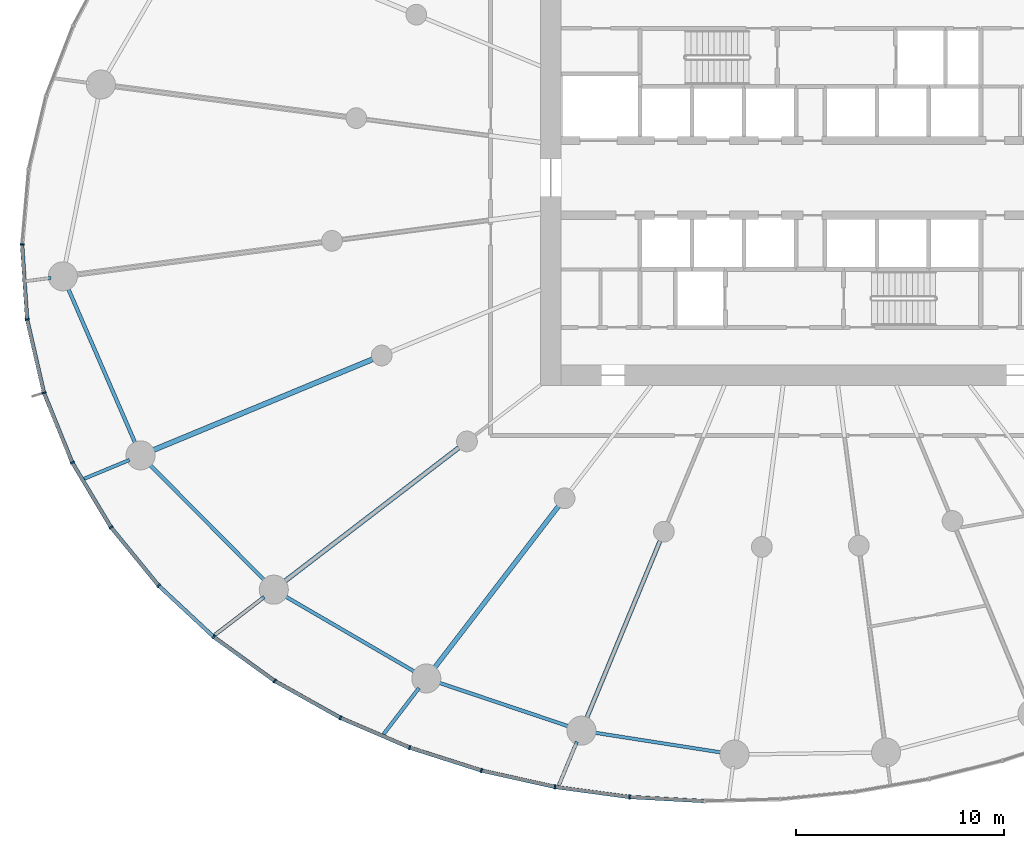
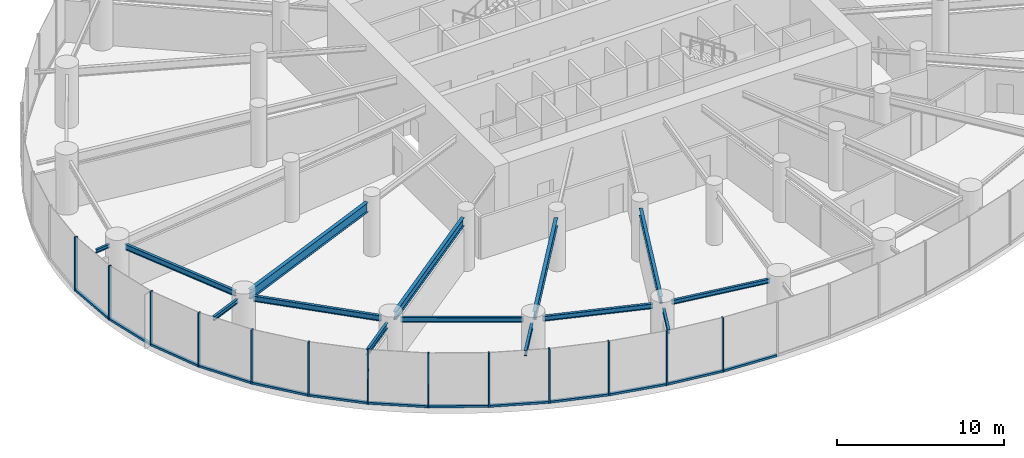
# One storey, part 2 of 18: 26 members, 14 beams, 3 elements without a shape of their own.
"""IFC4 building model written with IfcOpenShell, lengths in metres."""

from ifc_helpers import new_model, si_unit, direction, frame, origin, origin_2d, place, context, subcontext, project, spatial, rectangle, i_section, extrude, source, transform, mapped, material, layer, layer_set, material_profile, profile_set, type_object, element, aggregate, save


model = new_model("IFC4")

# Units and contexts
model_context = context("Model", 3, precision=1e-05, world=origin(), true_north=direction((0.0, 1.0)))
body_context = subcontext(model_context, "Body", "Model", "MODEL_VIEW")
ifc_project = project(units=[si_unit("LENGTHUNIT", "METRE"), si_unit("AREAUNIT", "SQUARE_METRE"), si_unit("VOLUMEUNIT", "CUBIC_METRE"), si_unit("PLANEANGLEUNIT", "RADIAN"), si_unit("MASSUNIT", "GRAM", prefix="KILO")], contexts=[model_context])

# Site, building, storey
site_placement = place(None, origin())
site = spatial("IfcSite", under=ifc_project, at=site_placement, CompositionType="ELEMENT")
building_placement = place(site_placement, origin())
building = spatial("IfcBuilding", under=site, at=building_placement, Name="Spindrift Exchange Tower", CompositionType="ELEMENT")
storey_placement = place(building_placement, frame((0.0, 0.0, 62.199951171875)))
storey = spatial("IfcBuildingStorey", under=building, at=storey_placement, Name="L14", CompositionType="ELEMENT", Elevation=62.199951171875)

# Beams
ifc_material_1 = material(Name="Steel Grade 300", Category="steel")
ifc_material_profile_1 = material_profile(ifc_material_1, i_section(OverallWidth=0.25, OverallDepth=0.699951171875, WebThickness=0.008056640625, FlangeThickness=0.011962890625, at=origin_2d()), Name="700WB115")
ifc_profile_set_1 = profile_set([ifc_material_profile_1], Name="Steel Grade 300")
beam_type_1 = type_object("IfcBeamType", Name="Floor Beam 700WB115 Steel Grade 300", PredefinedType="BEAM", material=ifc_profile_set_1)
shared_shape_1 = source(origin(), body_context, "Body", "SweptSolid", [
    extrude(i_section(OverallWidth=0.25, OverallDepth=0.699951171875, WebThickness=0.008056640625, FlangeThickness=0.011962890625, at=origin_2d()), origin(), (0.0, 0.0, 1.0), 11.505859375),
])
beam_1_placement = place(storey_placement, frame((30.917236328125, 39.26708984375, 3.60009765625), z_axis=(-0.923881578419, -0.38267849307, 0.0), x_axis=(0.38267849307, -0.923881578419, 0.0)))
element("IfcBeam", 1, at=beam_1_placement, inside=storey, type_object=beam_type_1, Name="L14 radial beam R14B", PredefinedType="BEAM", context=body_context, shape_type="MappedRepresentation", body=[
    mapped(shared_shape_1, transform((0.0, 0.0, 0.0), scale=1.0)),
])
ifc_material_profile_2 = material_profile(ifc_material_1, i_section(OverallWidth=0.22802734375, OverallDepth=0.60693359375, WebThickness=0.01123046875, FlangeThickness=0.017333984375, FilletRadius=0.013916015625, at=origin_2d()), Name="610UB113")
ifc_profile_set_2 = profile_set([ifc_material_profile_2], Name="Steel Grade 300")
beam_type_2 = type_object("IfcBeamType", Name="Floor Beam 610UB113 Steel Grade 300", PredefinedType="BEAM", material=ifc_profile_set_2)
shared_shape_2 = source(origin(), body_context, "Body", "SweptSolid", [
    extrude(i_section(OverallWidth=0.22802734375, OverallDepth=0.60693359375, WebThickness=0.01123046875, FlangeThickness=0.017333984375, FilletRadius=0.013916015625, at=origin_2d()), origin(), (0.0, 0.0, 1.0), 10.66357421875),
])
beam_2_placement = place(storey_placement, frame((35.08447265625, 35.020263671875, 3.646484375), z_axis=(-0.793357926757, -0.608755451764, 0.0), x_axis=(0.608755451764, -0.793357926757, 0.0)))
element("IfcBeam", 2, at=beam_2_placement, inside=storey, type_object=beam_type_2, Name="L14 radial beam R15B", PredefinedType="BEAM", context=body_context, shape_type="MappedRepresentation", body=[
    mapped(shared_shape_2, transform((0.0, 0.0, 0.0), scale=1.0)),
])
shared_shape_3 = source(origin(), body_context, "Body", "SweptSolid", [
    extrude(i_section(OverallWidth=0.22802734375, OverallDepth=0.60693359375, WebThickness=0.01123046875, FlangeThickness=0.017333984375, FilletRadius=0.013916015625, at=origin_2d()), origin(), (0.0, 0.0, 1.0), 9.87548828125),
])
beam_3_placement = place(storey_placement, frame((39.872802734375, 32.1953125, 3.646484375), z_axis=(-0.608772470836, -0.793344867477, 0.0), x_axis=(0.793344867477, -0.608772470836, 0.0)))
element("IfcBeam", 3, at=beam_3_placement, inside=storey, type_object=beam_type_2, Name="L14 radial beam R16B", PredefinedType="BEAM", context=body_context, shape_type="MappedRepresentation", body=[
    mapped(shared_shape_3, transform((0.0, 0.0, 0.0), scale=1.0)),
])
ifc_material_profile_3 = material_profile(ifc_material_1, i_section(OverallWidth=0.208984375, OverallDepth=0.532958984375, WebThickness=0.01025390625, FlangeThickness=0.015625, FilletRadius=0.013916015625, at=origin_2d()), Name="530UB92.4")
ifc_profile_set_3 = profile_set([ifc_material_profile_3], Name="Steel Grade 300")
beam_type_3 = type_object("IfcBeamType", Name="Floor Beam 530UB92.4 Steel Grade 300", PredefinedType="BEAM", material=ifc_profile_set_3)
shared_shape_4 = source(origin(), body_context, "Body", "SweptSolid", [
    extrude(i_section(OverallWidth=0.208984375, OverallDepth=0.532958984375, WebThickness=0.01025390625, FlangeThickness=0.015625, FilletRadius=0.013916015625, at=origin_2d()), origin(), (0.0, 0.0, 1.0), 9.309326171875),
])
beam_4_placement = place(storey_placement, frame((44.76171875, 30.525146484375, 3.68359375), z_axis=(-0.382685326691, -0.923878747853, 0.0), x_axis=(0.923878747853, -0.382685326691, 0.0)))
element("IfcBeam", 4, at=beam_4_placement, inside=storey, type_object=beam_type_3, Name="L14 radial beam R17B", PredefinedType="BEAM", context=body_context, shape_type="MappedRepresentation", body=[
    mapped(shared_shape_4, transform((0.0, 0.0, 0.0), scale=1.0)),
])
ifc_material_profile_4 = material_profile(ifc_material_1, i_section(OverallWidth=0.177978515625, OverallDepth=0.406005859375, WebThickness=0.0078125, FlangeThickness=0.0126953125, FilletRadius=0.013916015625, at=origin_2d()), Name="410UB59.7")
ifc_profile_set_4 = profile_set([ifc_material_profile_4], Name="Steel Grade 300")
beam_type_4 = type_object("IfcBeamType", Name="Edge Beam 410UB59.7 Steel Grade 300", PredefinedType="SPANDREL", material=ifc_profile_set_4)
shared_shape_5 = source(origin(), body_context, "Body", "SweptSolid", [
    extrude(i_section(OverallWidth=0.177978515625, OverallDepth=0.406005859375, WebThickness=0.0078125, FlangeThickness=0.0126953125, FilletRadius=0.013916015625, at=origin_2d()), origin(), (0.0, 0.0, 1.0), 8.23681640625),
])
beam_5_placement = place(storey_placement, frame((16.240478515625, 42.729736328125, 3.7470703125), z_axis=(0.398186298756, -0.91730456855, 0.0), x_axis=(0.91730456855, 0.398186298756, 0.0)))
element("IfcBeam", 5, at=beam_5_placement, inside=storey, type_object=beam_type_4, Name="L14 edge beam E13", PredefinedType="SPANDREL", context=body_context, shape_type="MappedRepresentation", body=[
    mapped(shared_shape_5, transform((0.0, 0.0, 0.0), scale=1.0)),
])
shared_shape_6 = source(origin(), body_context, "Body", "SweptSolid", [
    extrude(i_section(OverallWidth=0.177978515625, OverallDepth=0.406005859375, WebThickness=0.0078125, FlangeThickness=0.0126953125, FilletRadius=0.013916015625, at=origin_2d()), origin(), (0.0, 0.0, 1.0), 7.947509765625),
])
beam_6_placement = place(storey_placement, frame((20.159423828125, 34.230224609375, 3.7470703125), z_axis=(0.704197895271, -0.710003749494, 0.0), x_axis=(0.710003749494, 0.704197895271, 0.0)))
element("IfcBeam", 6, at=beam_6_placement, inside=storey, type_object=beam_type_4, Name="L14 edge beam E14", PredefinedType="SPANDREL", context=body_context, shape_type="MappedRepresentation", body=[
    mapped(shared_shape_6, transform((0.0, 0.0, 0.0), scale=1.0)),
])
ifc_material_profile_5 = material_profile(ifc_material_1, i_section(OverallWidth=0.172119140625, OverallDepth=0.35888671875, WebThickness=0.008056640625, FlangeThickness=0.012939453125, FilletRadius=0.013916015625, at=origin_2d()), Name="360UB56.7")
ifc_profile_set_5 = profile_set([ifc_material_profile_5], Name="Steel Grade 300")
beam_type_5 = type_object("IfcBeamType", Name="Edge Beam 360UB56.7 Steel Grade 300", PredefinedType="SPANDREL", material=ifc_profile_set_5)
shared_shape_7 = source(origin(), body_context, "Body", "SweptSolid", [
    extrude(i_section(OverallWidth=0.172119140625, OverallDepth=0.35888671875, WebThickness=0.008056640625, FlangeThickness=0.012939453125, FilletRadius=0.013916015625, at=origin_2d()), origin(), (0.0, 0.0, 1.0), 7.33740234375),
])
beam_7_placement = place(storey_placement, frame((26.66552734375, 27.8837890625, 3.7705078125), z_axis=(0.864211826308, -0.503128134047, 0.0), x_axis=(0.503128134047, 0.864211826308, 0.0)))
element("IfcBeam", 7, at=beam_7_placement, inside=storey, type_object=beam_type_5, Name="L14 edge beam E15", PredefinedType="SPANDREL", context=body_context, shape_type="MappedRepresentation", body=[
    mapped(shared_shape_7, transform((0.0, 0.0, 0.0), scale=1.0)),
])
shared_shape_8 = source(origin(), body_context, "Body", "SweptSolid", [
    extrude(i_section(OverallWidth=0.172119140625, OverallDepth=0.35888671875, WebThickness=0.008056640625, FlangeThickness=0.012939453125, FilletRadius=0.013916015625, at=origin_2d()), origin(), (0.0, 0.0, 1.0), 6.72021484375),
])
beam_8_placement = place(storey_placement, frame((34.0576171875, 23.71533203125, 3.7705078125), z_axis=(0.947851749681, -0.318711563372, 0.0), x_axis=(0.318711563372, 0.947851749681, 0.0)))
element("IfcBeam", 8, at=beam_8_placement, inside=storey, type_object=beam_type_5, Name="L14 edge beam E16", PredefinedType="SPANDREL", context=body_context, shape_type="MappedRepresentation", body=[
    mapped(shared_shape_8, transform((0.0, 0.0, 0.0), scale=1.0)),
])
ifc_material_profile_6 = material_profile(ifc_material_1, i_section(OverallWidth=0.1650390625, OverallDepth=0.303955078125, WebThickness=0.006103515625, FlangeThickness=0.01025390625, FilletRadius=0.011474609375, at=origin_2d()), Name="310UB40.4")
ifc_profile_set_6 = profile_set([ifc_material_profile_6], Name="Steel Grade 300")
beam_type_6 = type_object("IfcBeamType", Name="Edge Beam 310UB40.4 Steel Grade 300", PredefinedType="SPANDREL", material=ifc_profile_set_6)
shared_shape_9 = source(origin(), body_context, "Body", "SweptSolid", [
    extrude(i_section(OverallWidth=0.1650390625, OverallDepth=0.303955078125, WebThickness=0.006103515625, FlangeThickness=0.01025390625, FilletRadius=0.011474609375, at=origin_2d()), origin(), (0.0, 0.0, 1.0), 6.297119140625),
])
beam_9_placement = place(storey_placement, frame((41.55029296875, 21.29931640625, 3.798095703125), z_axis=(0.98802902915, -0.154268070436, 0.0), x_axis=(0.154268070436, 0.98802902915, 0.0)))
element("IfcBeam", 9, at=beam_9_placement, inside=storey, type_object=beam_type_6, Name="L14 edge beam E17", PredefinedType="SPANDREL", context=body_context, shape_type="MappedRepresentation", body=[
    mapped(shared_shape_9, transform((0.0, 0.0, 0.0), scale=1.0)),
])
ifc_material_profile_7 = material_profile(ifc_material_1, i_section(OverallWidth=0.14599609375, OverallDepth=0.251953125, WebThickness=0.006103515625, FlangeThickness=0.008544921875, FilletRadius=0.011962890625, at=origin_2d()), Name="250UB31.4")
ifc_profile_set_7 = profile_set([ifc_material_profile_7], Name="Steel Grade 300")
beam_type_7 = type_object("IfcBeamType", Name="Cantilever Beam 250UB31.4 Steel Grade 300", PredefinedType="BEAM", material=ifc_profile_set_7)
shared_shape_10 = source(origin(), body_context, "Body", "SweptSolid", [
    extrude(i_section(OverallWidth=0.14599609375, OverallDepth=0.251953125, WebThickness=0.006103515625, FlangeThickness=0.008544921875, FilletRadius=0.011962890625, at=origin_2d()), origin(), (0.0, 0.0, 1.0), 1.032470703125),
])
beam_10_placement = place(storey_placement, frame((15.4345703125, 43.18603515625, 3.823974609375), z_axis=(-0.991445440374, -0.130521794201, 0.0), x_axis=(0.130521794201, -0.991445440374, 0.0)))
element("IfcBeam", 10, at=beam_10_placement, inside=storey, type_object=beam_type_7, Name="L14 cantilever beam R13T", PredefinedType="BEAM", context=body_context, shape_type="MappedRepresentation", body=[
    mapped(shared_shape_10, transform((0.0, 0.0, 0.0), scale=1.0)),
])
ifc_material_profile_8 = material_profile(ifc_material_1, i_section(OverallWidth=0.1650390625, OverallDepth=0.303955078125, WebThickness=0.006103515625, FlangeThickness=0.01025390625, FilletRadius=0.011474609375, at=origin_2d()), Name="310UB40.4")
ifc_profile_set_8 = profile_set([ifc_material_profile_8], Name="Steel Grade 300")
beam_type_8 = type_object("IfcBeamType", Name="Cantilever Beam 310UB40.4 Steel Grade 300", PredefinedType="BEAM", material=ifc_profile_set_8)
shared_shape_11 = source(origin(), body_context, "Body", "SweptSolid", [
    extrude(i_section(OverallWidth=0.1650390625, OverallDepth=0.303955078125, WebThickness=0.006103515625, FlangeThickness=0.01025390625, FilletRadius=0.011474609375, at=origin_2d()), origin(), (0.0, 0.0, 1.0), 2.391357421875),
])
beam_11_placement = place(storey_placement, frame((19.21533203125, 34.420166015625, 3.798095703125), z_axis=(-0.92385132208, -0.382751531272, 0.0), x_axis=(0.382751531272, -0.92385132208, 0.0)))
element("IfcBeam", 11, at=beam_11_placement, inside=storey, type_object=beam_type_8, Name="L14 cantilever beam R14T", PredefinedType="BEAM", context=body_context, shape_type="MappedRepresentation", body=[
    mapped(shared_shape_11, transform((0.0, 0.0, 0.0), scale=1.0)),
])
ifc_material_profile_9 = material_profile(ifc_material_1, i_section(OverallWidth=0.177978515625, OverallDepth=0.406005859375, WebThickness=0.0078125, FlangeThickness=0.0126953125, FilletRadius=0.013916015625, at=origin_2d()), Name="410UB59.7")
ifc_profile_set_9 = profile_set([ifc_material_profile_9], Name="Steel Grade 300")
beam_type_9 = type_object("IfcBeamType", Name="Cantilever Beam 410UB59.7 Steel Grade 300", PredefinedType="BEAM", material=ifc_profile_set_9)
shared_shape_12 = source(origin(), body_context, "Body", "SweptSolid", [
    extrude(i_section(OverallWidth=0.177978515625, OverallDepth=0.406005859375, WebThickness=0.0078125, FlangeThickness=0.0126953125, FilletRadius=0.013916015625, at=origin_2d()), origin(), (0.0, 0.0, 1.0), 3.128662109375),
])
beam_12_placement = place(storey_placement, frame((25.704345703125, 27.822509765625, 3.7470703125), z_axis=(-0.793368923272, -0.608741120335, 0.0), x_axis=(0.608741120335, -0.793368923272, 0.0)))
element("IfcBeam", 12, at=beam_12_placement, inside=storey, type_object=beam_type_9, Name="L14 cantilever beam R15T", PredefinedType="BEAM", context=body_context, shape_type="MappedRepresentation", body=[
    mapped(shared_shape_12, transform((0.0, 0.0, 0.0), scale=1.0)),
])
ifc_material_profile_10 = material_profile(ifc_material_1, i_section(OverallWidth=0.172119140625, OverallDepth=0.35888671875, WebThickness=0.008056640625, FlangeThickness=0.012939453125, FilletRadius=0.013916015625, at=origin_2d()), Name="360UB56.7")
ifc_profile_set_10 = profile_set([ifc_material_profile_10], Name="Steel Grade 300")
beam_type_10 = type_object("IfcBeamType", Name="Cantilever Beam 360UB56.7 Steel Grade 300", PredefinedType="BEAM", material=ifc_profile_set_10)
shared_shape_13 = source(origin(), body_context, "Body", "SweptSolid", [
    extrude(i_section(OverallWidth=0.172119140625, OverallDepth=0.35888671875, WebThickness=0.008056640625, FlangeThickness=0.012939453125, FilletRadius=0.013916015625, at=origin_2d()), origin(), (0.0, 0.0, 1.0), 2.987548828125),
])
beam_13_placement = place(storey_placement, frame((33.154541015625, 23.440185546875, 3.7705078125), z_axis=(-0.608750606665, -0.79336164445, 0.0), x_axis=(0.79336164445, -0.608750606665, 0.0)))
element("IfcBeam", 13, at=beam_13_placement, inside=storey, type_object=beam_type_10, Name="L14 cantilever beam R16T", PredefinedType="BEAM", context=body_context, shape_type="MappedRepresentation", body=[
    mapped(shared_shape_13, transform((0.0, 0.0, 0.0), scale=1.0)),
])
shared_shape_14 = source(origin(), body_context, "Body", "SweptSolid", [
    extrude(i_section(OverallWidth=0.1650390625, OverallDepth=0.303955078125, WebThickness=0.006103515625, FlangeThickness=0.01025390625, FilletRadius=0.011474609375, at=origin_2d()), origin(), (0.0, 0.0, 1.0), 2.367919921875),
])
beam_14_placement = place(storey_placement, frame((40.755126953125, 20.852783203125, 3.798095703125), z_axis=(-0.38261586777, -0.923907515788, 0.0), x_axis=(0.923907515788, -0.38261586777, 0.0)))
element("IfcBeam", 14, at=beam_14_placement, inside=storey, type_object=beam_type_8, Name="L14 cantilever beam R17T", PredefinedType="BEAM", context=body_context, shape_type="MappedRepresentation", body=[
    mapped(shared_shape_14, transform((0.0, 0.0, 0.0), scale=1.0)),
])

# Curtain wall, members
ifc_material_2 = material(Name="Fritted laminated glass with bronze frame", Category="glass")
ifc_layer = layer(ifc_material_2, 0.199951171875)
ifc_layer_set = layer_set([ifc_layer], Name="ZONE 1 BRONZE FRITTED WALL")
curtain_wall_type = type_object("IfcCurtainWallType", Name="ZONE 1 BRONZE FRITTED WALL", PredefinedType="NOTDEFINED", material=ifc_layer_set)
curtain_wall_1_placement = place(storey_placement, origin())
curtain_wall_1 = element("IfcCurtainWall", 15, at=curtain_wall_1_placement, inside=storey, type_object=curtain_wall_type, Name="L14 Zone 1 Bronze Fritted Wall run 5", PredefinedType="NOTDEFINED")
ifc_material_3 = material(Name="Bronze anodised aluminium", Category="aluminium")
ifc_material_profile_11 = material_profile(ifc_material_3, rectangle(XDim=0.080078125, YDim=0.199951171875, at=origin_2d()), Name="ZONE 1 BRONZE FRITTED WALL MULLION 80X200")
ifc_profile_set_11 = profile_set([ifc_material_profile_11], Name="Bronze anodised aluminium")
member_type_1 = type_object("IfcMemberType", Name="ZONE 1 BRONZE FRITTED WALL MULLION 80X200", PredefinedType="MULLION", material=ifc_profile_set_11)
shared_shape_15 = source(origin(), body_context, "Body", "SweptSolid", [
    extrude(rectangle(XDim=0.080078125, YDim=0.199951171875, at=origin_2d()), origin(), (0.0, 0.0, 1.0), 3.949951171875),
])
member_1_placement = place(storey_placement, frame((14.046875, 44.80126953125, 0.0), z_axis=(0.0, 0.0, 1.0), x_axis=(-0.009875226729, -0.99995123876, 0.0)))
member_1 = element("IfcMember", 16, at=member_1_placement, type_object=member_type_1, Name="L14 mullion CW-1.29", PredefinedType="MULLION", context=body_context, shape_type="MappedRepresentation", body=[
    mapped(shared_shape_15, transform((0.0, 0.0, 0.0), scale=1.0)),
])
member_2_placement = place(storey_placement, frame((14.290283203125, 41.184814453125, 0.0), z_axis=(0.0, 0.0, 1.0), x_axis=(0.146154232463, -0.989261815867, 0.0)))
member_2 = element("IfcMember", 17, at=member_2_placement, type_object=member_type_1, Name="L14 mullion CW-1.30", PredefinedType="MULLION", context=body_context, shape_type="MappedRepresentation", body=[
    mapped(shared_shape_15, transform((0.0, 0.0, 0.0), scale=1.0)),
])

curtain_wall_2_placement = place(storey_placement, origin())
curtain_wall_2 = element("IfcCurtainWall", 18, at=curtain_wall_2_placement, inside=storey, type_object=curtain_wall_type, Name="L14 Zone 1 Bronze Fritted Wall run 6", PredefinedType="NOTDEFINED")
member_3_placement = place(storey_placement, frame((15.10302734375, 37.65283203125, 0.0), z_axis=(0.0, 0.0, 1.0), x_axis=(0.300815640904, -0.953682310934, 0.0)))
member_3 = element("IfcMember", 19, at=member_3_placement, type_object=member_type_1, Name="L14 mullion CW-1.31", PredefinedType="MULLION", context=body_context, shape_type="MappedRepresentation", body=[
    mapped(shared_shape_15, transform((0.0, 0.0, 0.0), scale=1.0)),
])
member_4_placement = place(storey_placement, frame((16.464111328125, 34.293701171875, 0.0), z_axis=(0.0, 0.0, 1.0), x_axis=(0.445793198022, -0.895135981065, 0.0)))
member_4 = element("IfcMember", 20, at=member_4_placement, type_object=member_type_1, Name="L14 mullion CW-1.32", PredefinedType="MULLION", context=body_context, shape_type="MappedRepresentation", body=[
    mapped(shared_shape_15, transform((0.0, 0.0, 0.0), scale=1.0)),
])
member_5_placement = place(storey_placement, frame((18.3251953125, 31.18310546875, 0.0), z_axis=(0.0, 0.0, 1.0), x_axis=(0.574619932867, -0.818420388769, 0.0)))
member_5 = element("IfcMember", 21, at=member_5_placement, type_object=member_type_1, Name="L14 mullion CW-1.33", PredefinedType="MULLION", context=body_context, shape_type="MappedRepresentation", body=[
    mapped(shared_shape_15, transform((0.0, 0.0, 0.0), scale=1.0)),
])
member_6_placement = place(storey_placement, frame((20.618896484375, 28.3759765625, 0.0), z_axis=(0.0, 0.0, 1.0), x_axis=(0.683762798681, -0.72970434776, 0.0)))
member_6 = element("IfcMember", 22, at=member_6_placement, type_object=member_type_1, Name="L14 mullion CW-1.34", PredefinedType="MULLION", context=body_context, shape_type="MappedRepresentation", body=[
    mapped(shared_shape_15, transform((0.0, 0.0, 0.0), scale=1.0)),
])
member_7_placement = place(storey_placement, frame((23.271484375, 25.904296875, 0.0), z_axis=(0.0, 0.0, 1.0), x_axis=(0.772673562001, -0.634803565353, 0.0)))
member_7 = element("IfcMember", 23, at=member_7_placement, type_object=member_type_1, Name="L14 mullion CW-1.35", PredefinedType="MULLION", context=body_context, shape_type="MappedRepresentation", body=[
    mapped(shared_shape_15, transform((0.0, 0.0, 0.0), scale=1.0)),
])
member_8_placement = place(storey_placement, frame((26.21142578125, 23.781494140625, 0.0), z_axis=(0.0, 0.0, 1.0), x_axis=(0.842832268359, -0.53817633487, 0.0)))
member_8 = element("IfcMember", 24, at=member_8_placement, type_object=member_type_1, Name="L14 mullion CW-1.36", PredefinedType="MULLION", context=body_context, shape_type="MappedRepresentation", body=[
    mapped(shared_shape_15, transform((0.0, 0.0, 0.0), scale=1.0)),
])

curtain_wall_3_placement = place(storey_placement, origin())
curtain_wall_3 = element("IfcCurtainWall", 25, at=curtain_wall_3_placement, inside=storey, type_object=curtain_wall_type, Name="L14 Zone 1 Bronze Fritted Wall run 7", PredefinedType="NOTDEFINED")
member_9_placement = place(storey_placement, frame((29.374267578125, 22.007568359375, 0.0), z_axis=(0.0, 0.0, 1.0), x_axis=(0.896626740711, -0.442787181208, 0.0)))
member_9 = element("IfcMember", 26, at=member_9_placement, type_object=member_type_1, Name="L14 mullion CW-1.37", PredefinedType="MULLION", context=body_context, shape_type="MappedRepresentation", body=[
    mapped(shared_shape_15, transform((0.0, 0.0, 0.0), scale=1.0)),
])
member_10_placement = place(storey_placement, frame((32.705810546875, 20.57421875, 0.0), z_axis=(0.0, 0.0, 1.0), x_axis=(0.936656075563, -0.350250476247, 0.0)))
member_10 = element("IfcMember", 27, at=member_10_placement, type_object=member_type_1, Name="L14 mullion CW-1.38", PredefinedType="MULLION", context=body_context, shape_type="MappedRepresentation", body=[
    mapped(shared_shape_15, transform((0.0, 0.0, 0.0), scale=1.0)),
])
member_11_placement = place(storey_placement, frame((36.160400390625, 19.469970703125, 0.0), z_axis=(0.0, 0.0, 1.0), x_axis=(0.965266312854, -0.261267956838, 0.0)))
member_11 = element("IfcMember", 28, at=member_11_placement, type_object=member_type_1, Name="L14 mullion CW-1.39", PredefinedType="MULLION", context=body_context, shape_type="MappedRepresentation", body=[
    mapped(shared_shape_15, transform((0.0, 0.0, 0.0), scale=1.0)),
])
member_12_placement = place(storey_placement, frame((39.70068359375, 18.680908203125, 0.0), z_axis=(0.0, 0.0, 1.0), x_axis=(0.984392435876, -0.175987306901, 0.0)))
member_12 = element("IfcMember", 29, at=member_12_placement, type_object=member_type_1, Name="L14 mullion CW-1.40", PredefinedType="MULLION", context=body_context, shape_type="MappedRepresentation", body=[
    mapped(shared_shape_15, transform((0.0, 0.0, 0.0), scale=1.0)),
])
member_13_placement = place(storey_placement, frame((43.294921875, 18.1943359375, 0.0), z_axis=(0.0, 0.0, 1.0), x_axis=(0.99555350356, -0.094197778902, 0.0)))
member_13 = element("IfcMember", 30, at=member_13_placement, type_object=member_type_1, Name="L14 mullion CW-1.41", PredefinedType="MULLION", context=body_context, shape_type="MappedRepresentation", body=[
    mapped(shared_shape_15, transform((0.0, 0.0, 0.0), scale=1.0)),
])

# Member
ifc_material_profile_12 = material_profile(ifc_material_3, rectangle(XDim=0.179931640625, YDim=0.14990234375, at=origin_2d()), Name="ZONE 1 BRONZE FRITTED WALL TRANSOM 180X150")
ifc_profile_set_12 = profile_set([ifc_material_profile_12], Name="Bronze anodised aluminium")
member_type_2 = type_object("IfcMemberType", Name="ZONE 1 BRONZE FRITTED WALL TRANSOM 180X150", PredefinedType="USERDEFINED", material=ifc_profile_set_12)
shared_shape_16 = source(origin(), body_context, "Body", "SweptSolid", [
    extrude(rectangle(XDim=0.179931640625, YDim=0.14990234375, at=origin_2d()), origin(), (0.0, 0.0, 1.0), 3.54443359375),
])
member_14_placement = place(storey_placement, frame((14.049560546875, 44.76123046875, 0.074951171875), z_axis=(0.067159042169, -0.997742282884, 0.0), x_axis=(0.997742282884, 0.067159042169, 0.0)))
member_14 = element("IfcMember", 31, at=member_14_placement, type_object=member_type_2, Name="L14 transom CW-1.29", ObjectType="TRANSOM", PredefinedType="USERDEFINED", context=body_context, shape_type="MappedRepresentation", body=[
    mapped(shared_shape_16, transform((0.0, 0.0, 0.0), scale=1.0)),
])

member_15_placement = place(storey_placement, frame((14.29931640625, 41.14599609375, 0.074951171875), z_axis=(0.224210496709, -0.974540739613, 0.0), x_axis=(0.974540739613, 0.224210496709, 0.0)))
member_15 = element("IfcMember", 32, at=member_15_placement, type_object=member_type_2, Name="L14 transom CW-1.30", ObjectType="TRANSOM", PredefinedType="USERDEFINED", context=body_context, shape_type="MappedRepresentation", body=[
    mapped(shared_shape_16, transform((0.0, 0.0, 0.0), scale=1.0)),
])

aggregate(curtain_wall_1, [member_1, member_14, member_2, member_15])

shared_shape_17 = source(origin(), body_context, "Body", "SweptSolid", [
    extrude(rectangle(XDim=0.179931640625, YDim=0.14990234375, at=origin_2d()), origin(), (0.0, 0.0, 1.0), 3.546142578125),
])
member_16_placement = place(storey_placement, frame((23.303955078125, 25.880859375, 0.074951171875), z_axis=(0.810740948691, -0.585405085489, 0.0), x_axis=(0.585405085489, 0.810740948691, 0.0)))
member_16 = element("IfcMember", 33, at=member_16_placement, type_object=member_type_2, Name="L14 transom CW-1.35", ObjectType="TRANSOM", PredefinedType="USERDEFINED", context=body_context, shape_type="MappedRepresentation", body=[
    mapped(shared_shape_17, transform((0.0, 0.0, 0.0), scale=1.0)),
])

member_17_placement = place(storey_placement, frame((26.246337890625, 23.76171875, 0.074951171875), z_axis=(0.872201787014, -0.489146238593, 0.0), x_axis=(0.489146238593, 0.872201787014, 0.0)))
member_17 = element("IfcMember", 34, at=member_17_placement, type_object=member_type_2, Name="L14 transom CW-1.36", ObjectType="TRANSOM", PredefinedType="USERDEFINED", context=body_context, shape_type="MappedRepresentation", body=[
    mapped(shared_shape_17, transform((0.0, 0.0, 0.0), scale=1.0)),
])

shared_shape_18 = source(origin(), body_context, "Body", "SweptSolid", [
    extrude(rectangle(XDim=0.179931640625, YDim=0.14990234375, at=origin_2d()), origin(), (0.0, 0.0, 1.0), 3.546875),
])
member_18_placement = place(storey_placement, frame((32.743896484375, 20.56201171875, 0.074951171875), z_axis=(0.952527194096, -0.304453517812, 0.0), x_axis=(0.304453517812, 0.952527194096, 0.0)))
member_18 = element("IfcMember", 35, at=member_18_placement, type_object=member_type_2, Name="L14 transom CW-1.38", ObjectType="TRANSOM", PredefinedType="USERDEFINED", context=body_context, shape_type="MappedRepresentation", body=[
    mapped(shared_shape_18, transform((0.0, 0.0, 0.0), scale=1.0)),
])

shared_shape_19 = source(origin(), body_context, "Body", "SweptSolid", [
    extrude(rectangle(XDim=0.179931640625, YDim=0.14990234375, at=origin_2d()), origin(), (0.0, 0.0, 1.0), 3.547119140625),
])
member_19_placement = place(storey_placement, frame((36.199462890625, 19.461181640625, 0.074951171875), z_axis=(0.976060573669, -0.21749886558, 0.0), x_axis=(0.21749886558, 0.976060573669, 0.0)))
member_19 = element("IfcMember", 36, at=member_19_placement, type_object=member_type_2, Name="L14 transom CW-1.39", ObjectType="TRANSOM", PredefinedType="USERDEFINED", context=body_context, shape_type="MappedRepresentation", body=[
    mapped(shared_shape_19, transform((0.0, 0.0, 0.0), scale=1.0)),
])

member_20_placement = place(storey_placement, frame((39.740234375, 18.675537109375, 0.074951171875), z_axis=(0.990962040362, -0.134142590406, 0.0), x_axis=(0.134142590406, 0.990962040362, 0.0)))
member_20 = element("IfcMember", 37, at=member_20_placement, type_object=member_type_2, Name="L14 transom CW-1.40", ObjectType="TRANSOM", PredefinedType="USERDEFINED", context=body_context, shape_type="MappedRepresentation", body=[
    mapped(shared_shape_19, transform((0.0, 0.0, 0.0), scale=1.0)),
])

member_21_placement = place(storey_placement, frame((43.3349609375, 18.192138671875, 0.074951171875), z_axis=(0.9985356488, -0.054097671626, 0.0), x_axis=(0.054097671626, 0.9985356488, 0.0)))
member_21 = element("IfcMember", 38, at=member_21_placement, type_object=member_type_2, Name="L14 transom CW-1.41", ObjectType="TRANSOM", PredefinedType="USERDEFINED", context=body_context, shape_type="MappedRepresentation", body=[
    mapped(shared_shape_19, transform((0.0, 0.0, 0.0), scale=1.0)),
])

shared_shape_20 = source(origin(), body_context, "Body", "SweptSolid", [
    extrude(rectangle(XDim=0.179931640625, YDim=0.14990234375, at=origin_2d()), origin(), (0.0, 0.0, 1.0), 3.545166015625),
])
member_22_placement = place(storey_placement, frame((18.350341796875, 31.152099609375, 0.074951171875), z_axis=(0.632798930893, -0.774316158337, 0.0), x_axis=(0.774316158337, 0.632798930893, 0.0)))
member_22 = element("IfcMember", 39, at=member_22_placement, type_object=member_type_2, Name="L14 transom CW-1.33", ObjectType="TRANSOM", PredefinedType="USERDEFINED", context=body_context, shape_type="MappedRepresentation", body=[
    mapped(shared_shape_20, transform((0.0, 0.0, 0.0), scale=1.0)),
])

shared_shape_21 = source(origin(), body_context, "Body", "SweptSolid", [
    extrude(rectangle(XDim=0.179931640625, YDim=0.14990234375, at=origin_2d()), origin(), (0.0, 0.0, 1.0), 3.546630859375),
])
member_23_placement = place(storey_placement, frame((29.410888671875, 21.99169921875, 0.074951171875), z_axis=(0.918602977133, -0.395181692898, 0.0), x_axis=(0.395181692898, 0.918602977133, 0.0)))
member_23 = element("IfcMember", 40, at=member_23_placement, type_object=member_type_2, Name="L14 transom CW-1.37", ObjectType="TRANSOM", PredefinedType="USERDEFINED", context=body_context, shape_type="MappedRepresentation", body=[
    mapped(shared_shape_21, transform((0.0, 0.0, 0.0), scale=1.0)),
])

aggregate(curtain_wall_3, [member_9, member_23, member_10, member_18, member_11, member_19, member_12, member_20, member_13, member_21])

shared_shape_22 = source(origin(), body_context, "Body", "SweptSolid", [
    extrude(rectangle(XDim=0.179931640625, YDim=0.14990234375, at=origin_2d()), origin(), (0.0, 0.0, 1.0), 3.5458984375),
])
member_24_placement = place(storey_placement, frame((20.648193359375, 28.3486328125, 0.074951171875), z_axis=(0.731625130176, -0.681707172395, 0.0), x_axis=(0.681707172395, 0.731625130176, 0.0)))
member_24 = element("IfcMember", 41, at=member_24_placement, type_object=member_type_2, Name="L14 transom CW-1.34", ObjectType="TRANSOM", PredefinedType="USERDEFINED", context=body_context, shape_type="MappedRepresentation", body=[
    mapped(shared_shape_22, transform((0.0, 0.0, 0.0), scale=1.0)),
])

shared_shape_23 = source(origin(), body_context, "Body", "SweptSolid", [
    extrude(rectangle(XDim=0.179931640625, YDim=0.14990234375, at=origin_2d()), origin(), (0.0, 0.0, 1.0), 3.544677734375),
])
member_25_placement = place(storey_placement, frame((15.117919921875, 37.61572265625, 0.074951171875), z_axis=(0.375519642091, -0.926814435798, 0.0), x_axis=(0.926814435798, 0.375519642091, 0.0)))
member_25 = element("IfcMember", 42, at=member_25_placement, type_object=member_type_2, Name="L14 transom CW-1.31", ObjectType="TRANSOM", PredefinedType="USERDEFINED", context=body_context, shape_type="MappedRepresentation", body=[
    mapped(shared_shape_23, transform((0.0, 0.0, 0.0), scale=1.0)),
])

member_26_placement = place(storey_placement, frame((16.484619140625, 34.25927734375, 0.074951171875), z_axis=(0.513381195077, -0.858160677578, 0.0), x_axis=(0.858160677578, 0.513381195077, 0.0)))
member_26 = element("IfcMember", 43, at=member_26_placement, type_object=member_type_2, Name="L14 transom CW-1.32", ObjectType="TRANSOM", PredefinedType="USERDEFINED", context=body_context, shape_type="MappedRepresentation", body=[
    mapped(shared_shape_23, transform((0.0, 0.0, 0.0), scale=1.0)),
])

aggregate(curtain_wall_2, [member_3, member_25, member_4, member_26, member_5, member_22, member_6, member_24, member_7, member_16, member_8, member_17])

save(model, "model.ifc")
